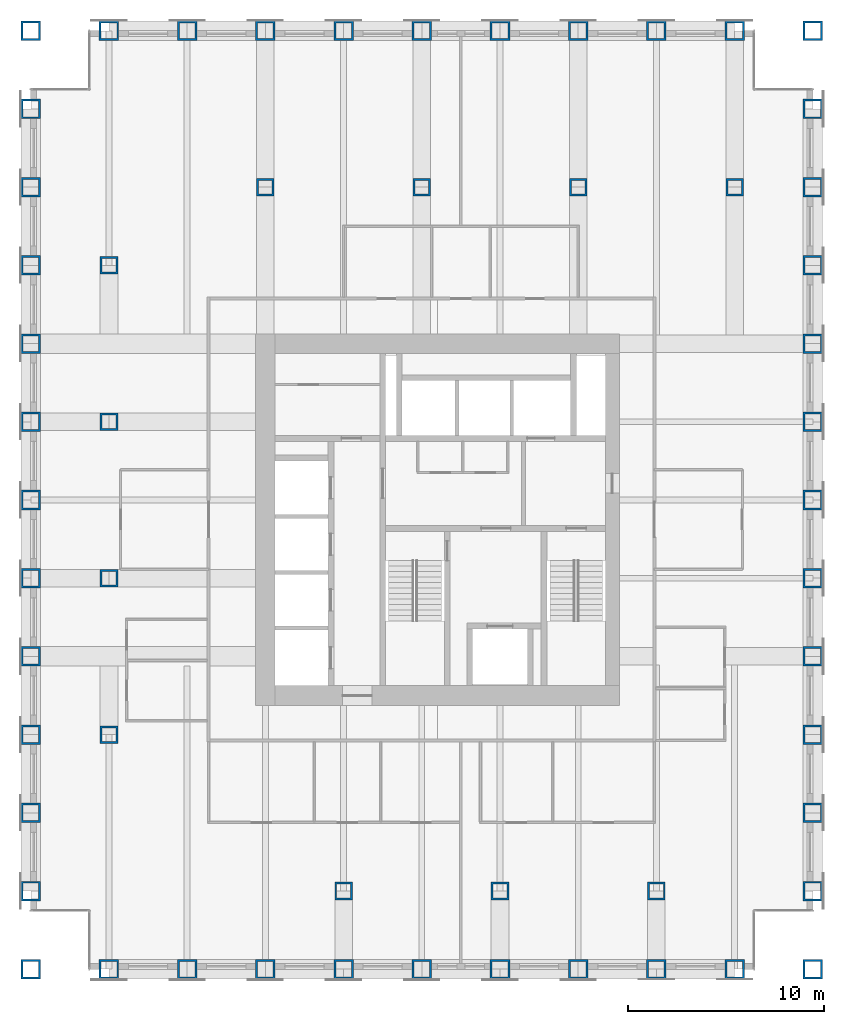
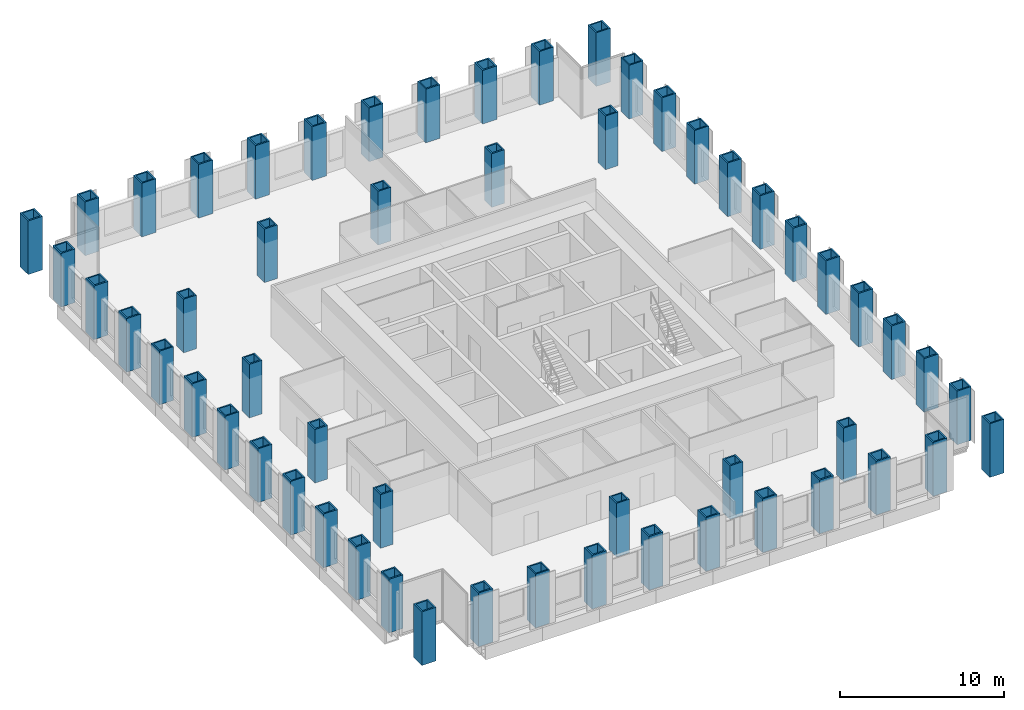
# One storey, part 1 of 12: 55 columns.
"""IFC4 building model written with IfcOpenShell, lengths in metres."""

from ifc_helpers import new_model, si_unit, direction, frame, origin, origin_2d, place, context, subcontext, project, spatial, hollow_rectangle, extrude, material, material_profile, profile_set, type_object, element, save


model = new_model("IFC4")

# Units and contexts
model_context = context("Model", 3, precision=1e-05, world=origin(), true_north=direction((0.0, 1.0)))
body_context = subcontext(model_context, "Body", "Model", "MODEL_VIEW")
ifc_project = project(units=[si_unit("LENGTHUNIT", "METRE"), si_unit("AREAUNIT", "SQUARE_METRE"), si_unit("VOLUMEUNIT", "CUBIC_METRE"), si_unit("PLANEANGLEUNIT", "RADIAN"), si_unit("MASSUNIT", "GRAM", prefix="KILO")], contexts=[model_context])

# Site, building, storey
site_placement = place(None, origin())
site = spatial("IfcSite", under=ifc_project, at=site_placement, CompositionType="ELEMENT")
building_placement = place(site_placement, origin())
building = spatial("IfcBuilding", under=site, at=building_placement, Name="Rimbunsela Tower", CompositionType="ELEMENT")
storey_placement = place(building_placement, frame((0.0, 0.0, 147.800048828125)))
storey = spatial("IfcBuildingStorey", under=building, at=storey_placement, Name="L35", CompositionType="ELEMENT", Elevation=147.800048828125)

# Columns
ifc_material_1 = material(Name="Steel BJ 55 (fy 410 MPa)", Category="steel")
ifc_material_profile_1 = material_profile(ifc_material_1, hollow_rectangle(XDim=1.0, YDim=1.0, WallThickness=0.10009765625, at=origin_2d()), Name="BOX 1000x1000x100")
ifc_profile_set_1 = profile_set([ifc_material_profile_1], Name="Steel BJ 55 (fy 410 MPa)")
column_type_1 = type_object("IfcColumnType", Name="Column BOX 1000x1000x100", PredefinedType="COLUMN", material=ifc_profile_set_1)
for number, where, z_axis, x_axis, name in (
    (1, (6.0, 4.0, 0.0), (0.0, 0.0, 1.0), (1.0, 0.0, 0.0), "Column C1 4/C L35"),
    (2, (6.0, 8.0, 0.0), (0.0, 0.0, 1.0), (1.0, 0.0, 0.0), "Column C1 4/D L35"),
    (3, (6.0, 12.0, 0.0), (0.0, 0.0, 1.0), (1.0, 0.0, 0.0), "Column C1 4/E L35"),
    (4, (6.0, 16.0, 0.0), (0.0, 0.0, 1.0), (1.0, 0.0, 0.0), "Column C1 4/F L35"),
    (5, (6.0, 20.0, 0.0), (0.0, 0.0, 1.0), (1.0, 0.0, 0.0), "Column C1 4/G L35"),
    (6, (6.0, 24.0, 0.0), (0.0, 0.0, 1.0), (1.0, 0.0, 0.0), "Column C1 4/H L35"),
    (7, (6.0, 28.0, 0.0), (0.0, 0.0, 1.0), (1.0, 0.0, 0.0), "Column C1 4/J L35"),
    (8, (6.0, 32.0, 0.0), (0.0, 0.0, 1.0), (1.0, 0.0, 0.0), "Column C1 4/K L35"),
    (9, (6.0, 36.0, 0.0), (0.0, 0.0, 1.0), (1.0, 0.0, 0.0), "Column C1 4/L L35"),
    (10, (6.0, 40.0, 0.0), (0.0, 0.0, 1.0), (1.0, 0.0, 0.0), "Column C1 4/M L35"),
    (11, (6.0, 44.0, 0.0), (0.0, 0.0, 1.0), (1.0, 0.0, 0.0), "Column C1 4/N L35"),
    (12, (6.0, 48.0, 0.0), (0.0, 0.0, 1.0), (1.0, 0.0, 0.0), "Column C1 4/P L35"),
    (13, (6.0, 52.0, 0.0), (0.0, 0.0, 1.0), (1.0, 0.0, 0.0), "Column C1 4/Q L35"),
    (14, (10.0, 4.0, 0.0), (0.0, 0.0, 1.0), (1.0, 0.0, 0.0), "Column C1 5/C L35"),
    (15, (10.0, 52.0, 0.0), (0.0, 0.0, 1.0), (1.0, 0.0, 0.0), "Column C1 5/Q L35"),
    (16, (14.0, 4.0, 0.0), (0.0, 0.0, 1.0), (1.0, 0.0, 0.0), "Column C1 6/C L35"),
    (17, (14.0, 52.0, 0.0), (0.0, 0.0, 1.0), (1.0, 0.0, 0.0), "Column C1 6/Q L35"),
    (18, (18.0, 4.0, 0.0), (0.0, 0.0, 1.0), (1.0, 0.0, 0.0), "Column C1 7/C L35"),
    (19, (18.0, 52.0, 0.0), (0.0, 0.0, 1.0), (1.0, 0.0, 0.0), "Column C1 7/Q L35"),
    (20, (22.0, 4.0, 0.0), (0.0, 0.0, 1.0), (1.0, 0.0, 0.0), "Column C1 8/C L35"),
    (21, (22.0, 52.0, 0.0), (0.0, 0.0, 1.0), (1.0, 0.0, 0.0), "Column C1 8/Q L35"),
    (22, (26.0, 4.0, 0.0), (0.0, 0.0, 1.0), (1.0, 0.0, 0.0), "Column C1 9/C L35"),
    (23, (26.0, 52.0, 0.0), (0.0, 0.0, 1.0), (1.0, 0.0, 0.0), "Column C1 9/Q L35"),
    (24, (30.0, 4.0, 0.0), (0.0, 0.0, 1.0), (1.0, 0.0, 0.0), "Column C1 10/C L35"),
    (25, (30.0, 52.0, 0.0), (0.0, 0.0, 1.0), (1.0, 0.0, 0.0), "Column C1 10/Q L35"),
    (26, (34.0, 4.0, 0.0), (0.0, 0.0, 1.0), (1.0, 0.0, 0.0), "Column C1 11/C L35"),
    (27, (34.0, 52.0, 0.0), (0.0, 0.0, 1.0), (1.0, 0.0, 0.0), "Column C1 11/Q L35"),
    (28, (38.0, 4.0, 0.0), (0.0, 0.0, 1.0), (1.0, 0.0, 0.0), "Column C1 12/C L35"),
    (29, (38.0, 52.0, 0.0), (0.0, 0.0, 1.0), (1.0, 0.0, 0.0), "Column C1 12/Q L35"),
    (30, (42.0, 4.0, 0.0), (0.0, 0.0, 1.0), (1.0, 0.0, 0.0), "Column C1 13/C L35"),
    (31, (42.0, 52.0, 0.0), (0.0, 0.0, 1.0), (1.0, 0.0, 0.0), "Column C1 13/Q L35"),
    (32, (46.0, 4.0, 0.0), (0.0, 0.0, 1.0), (1.0, 0.0, 0.0), "Column C1 14/C L35"),
    (33, (46.0, 8.0, 0.0), (0.0, 0.0, 1.0), (1.0, 0.0, 0.0), "Column C1 14/D L35"),
    (34, (46.0, 12.0, 0.0), (0.0, 0.0, 1.0), (1.0, 0.0, 0.0), "Column C1 14/E L35"),
    (35, (46.0, 16.0, 0.0), (0.0, 0.0, 1.0), (1.0, 0.0, 0.0), "Column C1 14/F L35"),
    (36, (46.0, 20.0, 0.0), (0.0, 0.0, 1.0), (1.0, 0.0, 0.0), "Column C1 14/G L35"),
    (37, (46.0, 24.0, 0.0), (0.0, 0.0, 1.0), (1.0, 0.0, 0.0), "Column C1 14/H L35"),
    (38, (46.0, 28.0, 0.0), (0.0, 0.0, 1.0), (1.0, 0.0, 0.0), "Column C1 14/J L35"),
    (39, (46.0, 32.0, 0.0), (0.0, 0.0, 1.0), (1.0, 0.0, 0.0), "Column C1 14/K L35"),
    (40, (46.0, 36.0, 0.0), (0.0, 0.0, 1.0), (1.0, 0.0, 0.0), "Column C1 14/L L35"),
    (41, (46.0, 40.0, 0.0), (0.0, 0.0, 1.0), (1.0, 0.0, 0.0), "Column C1 14/M L35"),
    (42, (46.0, 44.0, 0.0), (0.0, 0.0, 1.0), (1.0, 0.0, 0.0), "Column C1 14/N L35"),
    (43, (46.0, 48.0, 0.0), (0.0, 0.0, 1.0), (1.0, 0.0, 0.0), "Column C1 14/P L35"),
    (44, (46.0, 52.0, 0.0), (0.0, 0.0, 1.0), (1.0, 0.0, 0.0), "Column C1 14/Q L35"),
):
    element("IfcColumn", number, at=place(storey_placement, frame(where, z_axis=z_axis, x_axis=x_axis)), inside=storey, type_object=column_type_1, Name=name, PredefinedType="COLUMN", context=body_context, shape_type="SweptSolid", body=[
        extrude(hollow_rectangle(XDim=1.0, YDim=1.0, WallThickness=0.10009765625, at=origin_2d()), origin(), (0.0, 0.0, 1.0), 4.0),
    ])
ifc_material_2 = material(Name="Steel BJ 55 (fy 410 MPa)", Category="steel")
ifc_material_profile_2 = material_profile(ifc_material_2, hollow_rectangle(XDim=0.89990234375, YDim=0.89990234375, WallThickness=0.10009765625, at=origin_2d()), Name="BOX 900x900x100")
ifc_profile_set_2 = profile_set([ifc_material_profile_2], Name="Steel BJ 55 (fy 410 MPa)")
column_type_2 = type_object("IfcColumnType", Name="Column BOX 900x900x100", PredefinedType="COLUMN", material=ifc_profile_set_2)
for number, where, z_axis, x_axis, name in (
    (45, (10.0, 16.0, 0.0), (0.0, 0.0, 1.0), (1.0, 0.0, 0.0), "Column C5 5/F L35"),
    (46, (10.0, 24.0, 0.0), (0.0, 0.0, 1.0), (1.0, 0.0, 0.0), "Column C5 5/H L35"),
    (47, (10.0, 32.0, 0.0), (0.0, 0.0, 1.0), (1.0, 0.0, 0.0), "Column C5 5/K L35"),
    (48, (10.0, 40.0, 0.0), (0.0, 0.0, 1.0), (1.0, 0.0, 0.0), "Column C5 5/M L35"),
    (49, (18.0, 44.0, 0.0), (0.0, 0.0, 1.0), (1.0, 0.0, 0.0), "Column C5 7/N L35"),
    (50, (22.0, 8.0, 0.0), (0.0, 0.0, 1.0), (1.0, 0.0, 0.0), "Column C5 8/D L35"),
    (51, (26.0, 44.0, 0.0), (0.0, 0.0, 1.0), (1.0, 0.0, 0.0), "Column C5 9/N L35"),
    (52, (30.0, 8.0, 0.0), (0.0, 0.0, 1.0), (1.0, 0.0, 0.0), "Column C5 10/D L35"),
    (53, (34.0, 44.0, 0.0), (0.0, 0.0, 1.0), (1.0, 0.0, 0.0), "Column C5 11/N L35"),
    (54, (38.0, 8.0, 0.0), (0.0, 0.0, 1.0), (1.0, 0.0, 0.0), "Column C5 12/D L35"),
    (55, (42.0, 44.0, 0.0), (0.0, 0.0, 1.0), (1.0, 0.0, 0.0), "Column C5 13/N L35"),
):
    element("IfcColumn", number, at=place(storey_placement, frame(where, z_axis=z_axis, x_axis=x_axis)), inside=storey, type_object=column_type_2, Name=name, PredefinedType="COLUMN", context=body_context, shape_type="SweptSolid", body=[
        extrude(hollow_rectangle(XDim=0.89990234375, YDim=0.89990234375, WallThickness=0.10009765625, at=origin_2d()), origin(), (0.0, 0.0, 1.0), 4.0),
    ])

save(model, "model.ifc")
